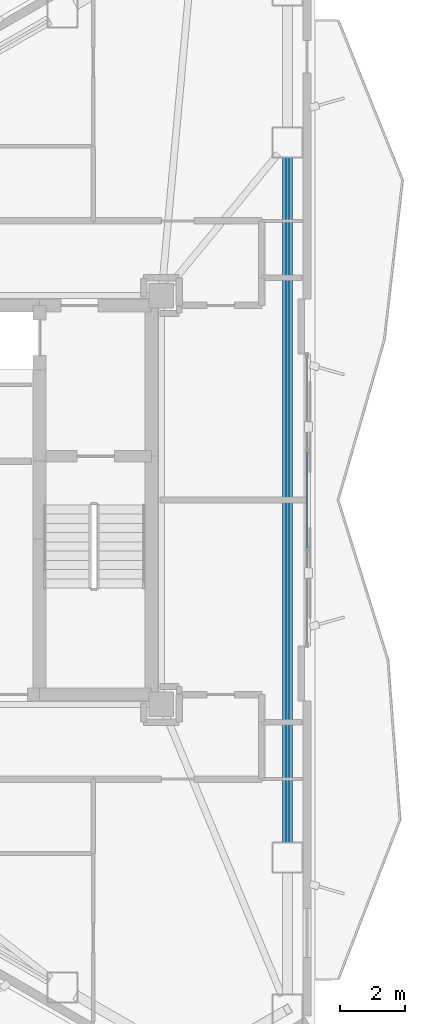
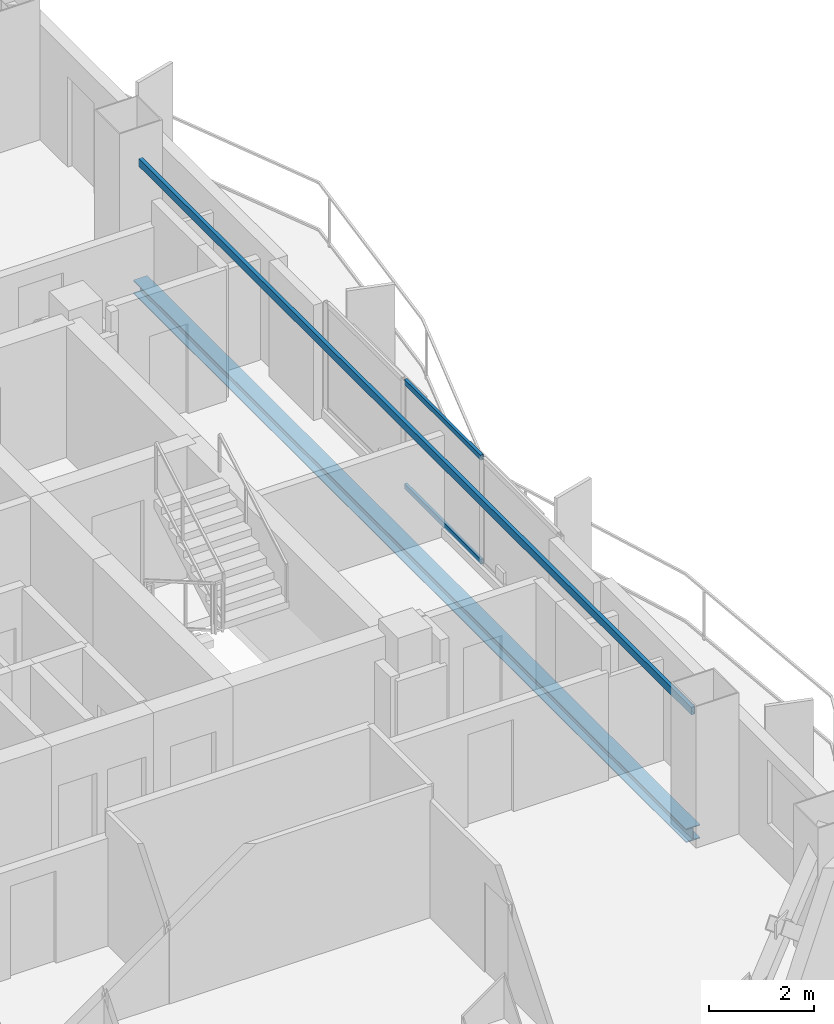
# One storey, part 12 of 22: 2 beams, 2 members, 1 element without a shape of its own.
"""IFC4 building model written with IfcOpenShell, lengths in metres."""

from ifc_helpers import new_model, si_unit, direction, frame, origin, origin_2d, place, context, subcontext, project, spatial, hollow_rectangle, i_section, extrude, material, layer, layer_set, material_profile, profile_set, type_object, element, aggregate, save


model = new_model("IFC4")

# Units and contexts
model_context = context("Model", 3, precision=1e-05, world=origin(), true_north=direction((0.0, 1.0)))
body_context = subcontext(model_context, "Body", "Model", "MODEL_VIEW")
ifc_project = project(units=[si_unit("LENGTHUNIT", "METRE"), si_unit("AREAUNIT", "SQUARE_METRE"), si_unit("VOLUMEUNIT", "CUBIC_METRE"), si_unit("PLANEANGLEUNIT", "RADIAN"), si_unit("MASSUNIT", "GRAM", prefix="KILO")], contexts=[model_context])

# Site, building, storey
site_placement = place(None, origin())
site = spatial("IfcSite", under=ifc_project, at=site_placement, CompositionType="ELEMENT")
building_placement = place(site_placement, origin())
building = spatial("IfcBuilding", under=site, at=building_placement, Name="Mersakhor Tower and Convention Hall", CompositionType="ELEMENT")
storey_placement = place(building_placement, frame((0.0, 0.0, 188.699951171875)))
storey = spatial("IfcBuildingStorey", under=building, at=storey_placement, Name="L52", CompositionType="ELEMENT", Elevation=188.699951171875)

# Beams
ifc_material_1 = material(Name="Steel S355", Category="steel")
ifc_material_profile_1 = material_profile(ifc_material_1, hollow_rectangle(XDim=0.080078125, YDim=0.179931640625, WallThickness=0.008056640625, at=origin_2d()), Name="RHS 180x80x8")
ifc_profile_set_1 = profile_set([ifc_material_profile_1], Name="Steel S355")
beam_type_1 = type_object("IfcBeamType", Name="BM-GRT-RHS180", PredefinedType="USERDEFINED", material=ifc_profile_set_1)
beam_1_placement = place(storey_placement, frame((39.98828125, 37.31787109375, 2.47998046875), z_axis=(0.0, -1.0, 0.0), x_axis=(1.0, 0.0, 0.0)))
element("IfcBeam", 1, at=beam_1_placement, inside=storey, type_object=beam_type_1, Name="L52 Facade Support Girt GRT-F2", ObjectType="GIRT", PredefinedType="USERDEFINED", context=body_context, shape_type="SweptSolid", body=[
    extrude(hollow_rectangle(XDim=0.080078125, YDim=0.179931640625, WallThickness=0.008056640625, at=origin_2d()), origin(), (0.0, 0.0, 1.0), 21.1357421875),
])
ifc_material_2 = material(Name="Steel S355", Category="steel")
ifc_material_profile_2 = material_profile(ifc_material_2, i_section(OverallWidth=0.30908203125, OverallDepth=0.320556640625, WebThickness=0.013916015625, FlangeThickness=0.021728515625, at=origin_2d()), Name="UC 305x305x137")
ifc_profile_set_2 = profile_set([ifc_material_profile_2], Name="Steel S355")
beam_type_2 = type_object("IfcBeamType", Name="BM-SPD-UC305", PredefinedType="SPANDREL", material=ifc_profile_set_2)
beam_2_placement = place(storey_placement, frame((39.98828125, 37.31787109375, -0.39013671875), z_axis=(0.0, -1.0, 0.0), x_axis=(1.0, 0.0, 0.0)))
element("IfcBeam", 2, at=beam_2_placement, inside=storey, type_object=beam_type_2, Name="L52 Perimeter Spandrel Beam SPB-06", PredefinedType="SPANDREL", context=body_context, shape_type="SweptSolid", body=[
    extrude(i_section(OverallWidth=0.30908203125, OverallDepth=0.320556640625, WebThickness=0.013916015625, FlangeThickness=0.021728515625, at=origin_2d()), origin(), (0.0, 0.0, 1.0), 21.1357421875),
])

# Curtain wall, members
ifc_material_3 = material(Name="Dark solar low-E aluminium curtain wall", Category="aluminium")
ifc_layer = layer(ifc_material_3, 0.169921875)
ifc_layer_set = layer_set([ifc_layer], Name="Dark solar low-E aluminium curtain wall")
curtain_wall_type = type_object("IfcCurtainWallType", Name="CW-SYS-02", PredefinedType="USERDEFINED", material=ifc_layer_set)
curtain_wall_placement = place(storey_placement, origin())
curtain_wall = element("IfcCurtainWall", 3, at=curtain_wall_placement, inside=storey, type_object=curtain_wall_type, Name="L52 Dark-Glass Curtain Wall F2-B2", ObjectType="CURTAIN WALL", PredefinedType="USERDEFINED")
ifc_material_4 = material(Name="Anodised aluminium EN AW-6063 T6", Category="aluminium")
ifc_material_profile_3 = material_profile(ifc_material_4, hollow_rectangle(XDim=0.06005859375, YDim=0.1201171875, WallThickness=0.0048828125, at=origin_2d()), Name="RHS 120x60x5")
ifc_profile_set_3 = profile_set([ifc_material_profile_3], Name="Anodised aluminium EN AW-6063 T6")
member_type = type_object("IfcMemberType", Name="CWT-120x60", PredefinedType="USERDEFINED", material=ifc_profile_set_3)
member_1_placement = place(storey_placement, frame((40.58837890625, 28.21240234375, 0.22998046875), z_axis=(0.0, -1.0, 0.0), x_axis=(1.0, 0.0, 0.0)))
member_1 = element("IfcMember", 4, at=member_1_placement, type_object=member_type, Name="CW-02 transom 2.1", ObjectType="TRANSOM", PredefinedType="USERDEFINED", context=body_context, shape_type="SweptSolid", body=[
    extrude(hollow_rectangle(XDim=0.06005859375, YDim=0.1201171875, WallThickness=0.0048828125, at=origin_2d()), origin(), (0.0, 0.0, 1.0), 2.9248046875),
])
member_2_placement = place(storey_placement, frame((40.58837890625, 28.21240234375, 2.66015625), z_axis=(0.0, -1.0, 0.0), x_axis=(1.0, 0.0, 0.0)))
member_2 = element("IfcMember", 5, at=member_2_placement, type_object=member_type, Name="CW-02 transom 2.2", ObjectType="TRANSOM", PredefinedType="USERDEFINED", context=body_context, shape_type="SweptSolid", body=[
    extrude(hollow_rectangle(XDim=0.06005859375, YDim=0.1201171875, WallThickness=0.0048828125, at=origin_2d()), origin(), (0.0, 0.0, 1.0), 2.9248046875),
])
aggregate(curtain_wall, [member_1, member_2])

save(model, "model.ifc")
